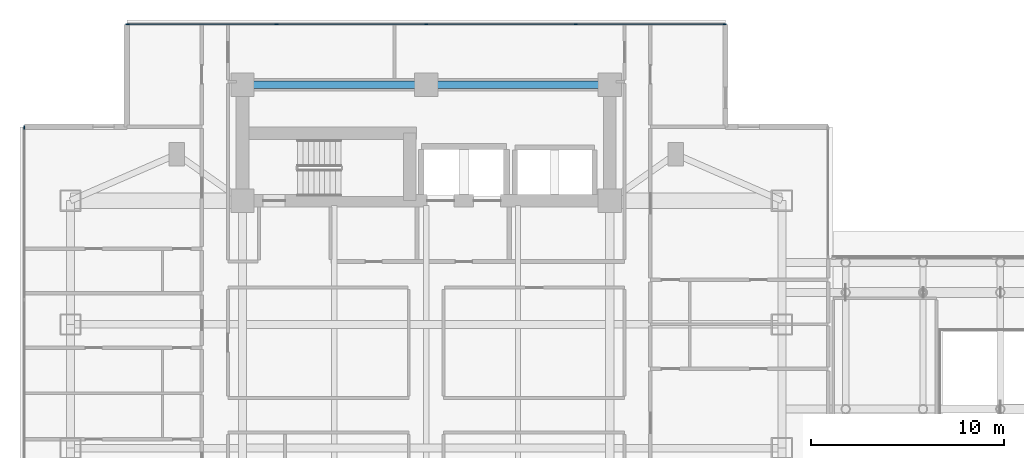
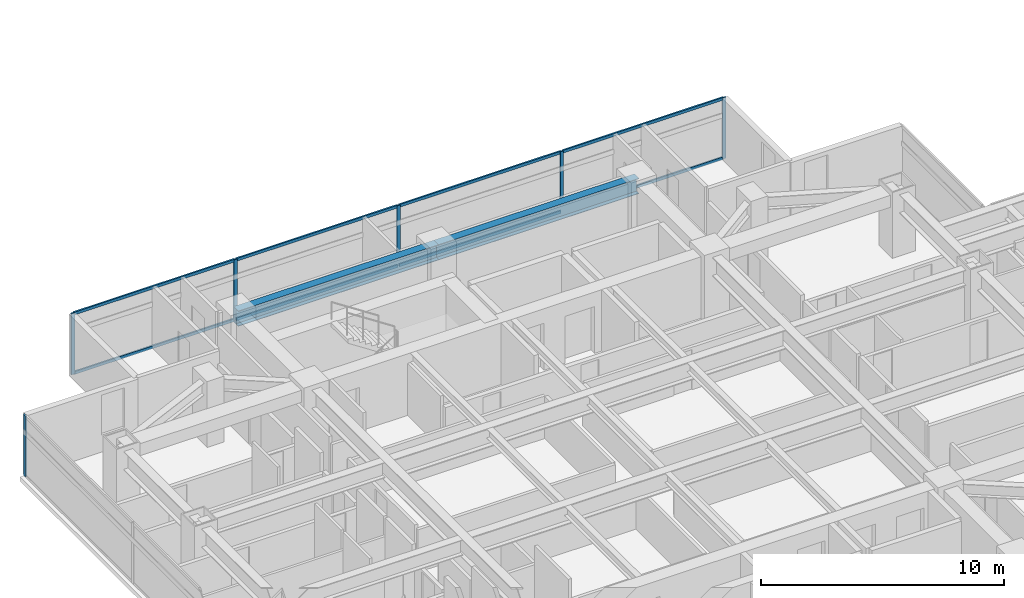
# One storey, part 7 of 27: 14 members, 2 beams, 2 elements without a shape of their own.
"""IFC4 building model written with IfcOpenShell, lengths in metres."""

import ifcopenshell
import ifcopenshell.guid

model = None  # the IFC model being written
_history = None  # IfcOwnerHistory: only IFC2X3 demands one
_inside = {}  # id of a spatial element -> (the spatial element, [elements in it])
_under = {}  # id of a project, library or spatial element -> (it, [spatial elements below it])
_declared = {}  # id of a project -> (the project, [libraries it declares])
_typed = {}  # id of a type object -> (the type object, [elements of that type])
_made_of = {}  # id of a material, layer set ... -> (it, [elements and type objects made of it])


def new_model(schema):
    """Start an empty IFC model of exactly this schema.

    Asked for "IFC4X3", IfcOpenShell would pick the latest addendum, in which some entities
    have other attributes; the version numbers below select the first issue.
    IFC2X3 requires an IfcOwnerHistory on every rooted entity: one is made here for all.
    """
    global model, _history
    if schema == "IFC4X3":
        model = ifcopenshell.file(schema_version=(4, 3, 0, 0))
    else:
        model = ifcopenshell.file(schema=schema)
    _inside.clear()
    _under.clear()
    _declared.clear()
    _typed.clear()
    _made_of.clear()
    _history = None
    if model.schema == "IFC2X3":
        org = make("IfcOrganization", Name="unknown")
        user = make(
            "IfcPersonAndOrganization",
            ThePerson=make("IfcPerson", FamilyName="unknown"),
            TheOrganization=org,
        )
        app = make(
            "IfcApplication",
            ApplicationDeveloper=org,
            Version="unknown",
            ApplicationFullName="unknown",
            ApplicationIdentifier="unknown",
        )
        _history = make(
            "IfcOwnerHistory",
            OwningUser=user,
            OwningApplication=app,
            ChangeAction="ADDED",
            CreationDate=0,
        )
    return model


def make(cls, **values):
    """One entity of the class cls with the attributes given. An attribute that is None is left unset."""
    return model.create_entity(
        cls, **{name: value for name, value in values.items() if value is not None}
    )


def rooted(cls, **values):
    """An entity with a GlobalId (a new one), such as an element, a storey or a relation."""
    return make(cls, GlobalId=ifcopenshell.guid.new(), OwnerHistory=_history, **values)


def si_unit(unit_type, name, prefix=None):
    """IfcSIUnit, for example si_unit("LENGTHUNIT", "METRE", prefix="MILLI")."""
    return make("IfcSIUnit", UnitType=unit_type, Prefix=prefix, Name=name)


def assignment(units):
    """IfcUnitAssignment: the units of a project."""
    return None if units is None else make("IfcUnitAssignment", Units=units)


def point(xyz):
    """IfcCartesianPoint."""
    return None if xyz is None else make("IfcCartesianPoint", Coordinates=xyz)


def direction(xyz):
    """IfcDirection."""
    return None if xyz is None else make("IfcDirection", DirectionRatios=xyz)


def frame(location, z_axis=None, x_axis=None):
    """IfcAxis2Placement3D, a coordinate frame: its origin and axes. An axis left out is left unset."""
    return make(
        "IfcAxis2Placement3D",
        Location=point(location),
        Axis=direction(z_axis),
        RefDirection=direction(x_axis),
    )


def frame_2d(location, x_axis=None):
    """IfcAxis2Placement2D, a coordinate frame in the plane: its origin and x axis."""
    return make(
        "IfcAxis2Placement2D", Location=point(location), RefDirection=direction(x_axis)
    )


def origin():
    """The frame at (0, 0, 0) with its axes left unset."""
    return frame((0.0, 0.0, 0.0))


def origin_2d():
    """The frame at (0, 0) in the plane with its x axis left unset."""
    return frame_2d((0.0, 0.0))


def place(relative_to, where):
    """IfcLocalPlacement: puts the frame where relative to a parent placement (None: the world)."""
    return make(
        "IfcLocalPlacement", PlacementRelTo=relative_to, RelativePlacement=where
    )


def context(
    kind, dimensions, precision=None, world=None, true_north=None, identifier=None
):
    """IfcGeometricRepresentationContext, for example the 3D "Model" context."""
    return make(
        "IfcGeometricRepresentationContext",
        ContextIdentifier=identifier,
        ContextType=kind,
        CoordinateSpaceDimension=dimensions,
        Precision=precision,
        WorldCoordinateSystem=world,
        TrueNorth=true_north,
    )


def subcontext(parent, identifier, kind, view, scale=None):
    """IfcGeometricRepresentationSubContext, for example "Body" below "Model"."""
    return make(
        "IfcGeometricRepresentationSubContext",
        ContextIdentifier=identifier,
        ContextType=kind,
        ParentContext=parent,
        TargetScale=scale,
        TargetView=view,
    )


def project(units=None, contexts=None):
    """IfcProject with its units and contexts."""
    return rooted(
        "IfcProject",
        Name="project",
        RepresentationContexts=contexts,
        UnitsInContext=assignment(units),
    )


def spatial(cls, under=None, at=None, **own):
    """A site, building, storey or space (cls), placed at a placement, below another one or the project."""
    s = rooted(cls, ObjectPlacement=at, **own)
    if under is not None:
        _under.setdefault(under.id(), (under, []))[1].append(s)
    return s


def profile(cls, at=None, kind="AREA", **sizes):
    """A parametric profile (cls). Its sizes go by their IFC names, for example OverallWidth=200.0."""
    return make(cls, ProfileType=kind, Position=at, **sizes)


def rectangle(**sizes):
    """IfcRectangleProfileDef."""
    return profile("IfcRectangleProfileDef", **sizes)


def i_section(**sizes):
    """IfcIShapeProfileDef."""
    return profile("IfcIShapeProfileDef", **sizes)


def extrude(swept, where, along, depth):
    """IfcExtrudedAreaSolid: the profile swept, set in the frame where, extruded along a direction by depth."""
    return make(
        "IfcExtrudedAreaSolid",
        SweptArea=swept,
        Position=where,
        ExtrudedDirection=direction(along),
        Depth=depth,
    )


def shape(context_of_items, identifier, shape_type, items):
    """IfcShapeRepresentation: the items that make up one representation, for example the "Body"."""
    return make(
        "IfcShapeRepresentation",
        ContextOfItems=context_of_items,
        RepresentationIdentifier=identifier,
        RepresentationType=shape_type,
        Items=items,
    )


def material(Name=None, Category=None):
    """IfcMaterial."""
    return make("IfcMaterial", Name=Name, Category=Category)


def material_profile(
    of_material, cross_section, Name=None, Category=None, Priority=None
):
    """IfcMaterialProfile: a cross section and its material."""
    return make(
        "IfcMaterialProfile",
        Name=Name,
        Material=of_material,
        Profile=cross_section,
        Priority=Priority,
        Category=Category,
    )


def profile_set(profiles, Name=None, composite=None):
    """IfcMaterialProfileSet."""
    return make(
        "IfcMaterialProfileSet",
        Name=Name,
        MaterialProfiles=profiles,
        CompositeProfile=composite,
    )


def made_of(thing, what):
    """Note that an element or type object is made of a material, layer set ...; save() writes the relation."""
    if what is not None:
        _made_of.setdefault(what.id(), (what, []))[1].append(thing)
    return thing


def type_object(cls, material=None, **own):
    """A type object (cls), such as IfcWallType, which elements share."""
    return made_of(rooted(cls, **own), material)


def element(
    cls,
    number,
    at=None,
    inside=None,
    cuts=None,
    type_object=None,
    material=None,
    context=None,
    identifier="Body",
    shape_type=None,
    held_by="IfcProductDefinitionShape",
    body=None,
    shapes=None,
    **own,
):
    """One element of the class cls, such as IfcWall. Its Tag is "e" and its number.

    at: its placement. inside: the storey or other place that contains it. cuts: it is an
    opening in that element (IfcRelVoidsElement). A single representation is given by context,
    identifier, shape_type and body (its items); several are given by shapes. held_by: the class
    of the entity that holds the representations. save() writes the other relations.
    """
    e = rooted(cls, Tag="e%d" % number, ObjectPlacement=at, **own)
    if body is not None:
        shapes = [shape(context, identifier, shape_type, body)]
    if shapes is not None:
        e.Representation = make(held_by, Representations=shapes)
    if inside is not None:
        _inside.setdefault(inside.id(), (inside, []))[1].append(e)
    if cuts is not None:
        rooted(
            "IfcRelVoidsElement", RelatingBuildingElement=cuts, RelatedOpeningElement=e
        )
    if type_object is not None:
        _typed.setdefault(type_object.id(), (type_object, []))[1].append(e)
    return made_of(e, material)


def aggregate(whole, parts):
    """IfcRelAggregates: a whole, such as a stair, and the parts it consists of."""
    return rooted("IfcRelAggregates", RelatingObject=whole, RelatedObjects=parts)


def save(model, path):
    """Write the relations noted so far, then the file.

    IfcRelAggregates (storeys below a building ...), IfcRelContainedInSpatialStructure (elements
    in a storey), IfcRelDefinesByType, IfcRelAssociatesMaterial and IfcRelDeclares: one each for
    every whole, place, type object, material and project.
    """
    for whole, parts in _under.values():
        aggregate(whole, parts)
    for where, things in _inside.values():
        rooted(
            "IfcRelContainedInSpatialStructure",
            RelatedElements=things,
            RelatingStructure=where,
        )
    for kind, things in _typed.values():
        rooted("IfcRelDefinesByType", RelatedObjects=things, RelatingType=kind)
    for what, things in _made_of.values():
        rooted("IfcRelAssociatesMaterial", RelatedObjects=things, RelatingMaterial=what)
    for by, libraries in _declared.values():
        rooted("IfcRelDeclares", RelatingContext=by, RelatedDefinitions=libraries)
    model.write(path)


model = new_model("IFC4")

# Units and contexts
model_context = context("Model", 3, precision=1e-05, world=origin(), true_north=direction((0.0, 1.0)))
body_context = subcontext(model_context, "Body", "Model", "MODEL_VIEW")
ifc_project = project(units=[si_unit("LENGTHUNIT", "METRE"), si_unit("AREAUNIT", "SQUARE_METRE"), si_unit("VOLUMEUNIT", "CUBIC_METRE"), si_unit("PLANEANGLEUNIT", "RADIAN"), si_unit("MASSUNIT", "GRAM", prefix="KILO")], contexts=[model_context])

# Site, building, storey
site_placement = place(None, origin())
site = spatial("IfcSite", under=ifc_project, at=site_placement, CompositionType="ELEMENT")
building_placement = place(site_placement, origin())
building = spatial("IfcBuilding", under=site, at=building_placement, Name="Mirazonda Arch Towers", CompositionType="ELEMENT")
storey_placement = place(building_placement, frame((0.0, 0.0, 95.0)))
storey = spatial("IfcBuildingStorey", under=building, at=storey_placement, Name="L26", CompositionType="ELEMENT", Elevation=95.0)

# Beams
ifc_material_1 = material(Name="Steel ASTM A992 Grade 50", Category="steel")
ifc_material_profile_1 = material_profile(ifc_material_1, i_section(OverallWidth=0.381103515625, OverallDepth=0.77294921875, WebThickness=0.0166015625, FlangeThickness=0.027099609375, at=origin_2d()), Name="W30X173")
ifc_profile_set_1 = profile_set([ifc_material_profile_1], Name="Steel ASTM A992 Grade 50")
beam_type = type_object("IfcBeamType", Name="BM-INT-W30X173", PredefinedType="USERDEFINED", material=ifc_profile_set_1)
for number, where, z_axis, x_axis, name in (
    (1, (11.0, 43.60009765625, 2.693603515625), (1.0, 0.0, 0.0), (0.0, 1.0, 0.0), "L26 Floor Beam BM-T1-L26-CN1"),
    (2, (20.5, 43.60009765625, 2.693603515625), (1.0, 0.0, 0.0), (0.0, 1.0, 0.0), "L26 Floor Beam BM-T1-L26-CN2"),
):
    element("IfcBeam", number, at=place(storey_placement, frame(where, z_axis=z_axis, x_axis=x_axis)), inside=storey, type_object=beam_type, Name=name, ObjectType="GIRDER", PredefinedType="USERDEFINED", context=body_context, shape_type="SweptSolid", body=[
        extrude(i_section(OverallWidth=0.381103515625, OverallDepth=0.77294921875, WebThickness=0.0166015625, FlangeThickness=0.027099609375, at=origin_2d()), origin(), (0.0, 0.0, 1.0), 9.5),
    ])

# Curtain wall, members
ifc_material_2 = material(Name="Anodised Aluminium and Low-E Glass", Category="aluminium")
curtain_wall_type = type_object("IfcCurtainWallType", Name="CW-HTL-UNIT", PredefinedType="NOTDEFINED", material=ifc_material_2)
curtain_wall_1_placement = place(storey_placement, origin())
curtain_wall_1 = element("IfcCurtainWall", 3, at=curtain_wall_1_placement, inside=storey, type_object=curtain_wall_type, Name="L26 T1 N Facade CW-L26-T1-N", PredefinedType="NOTDEFINED")
ifc_material_3 = material(Name="Anodised Aluminium Alloy", Category="aluminium")
ifc_material_profile_2 = material_profile(ifc_material_3, rectangle(XDim=0.074951171875, YDim=0.1650390625, at=origin_2d()), Name="ALU-MULL-75x165")
ifc_profile_set_2 = profile_set([ifc_material_profile_2], Name="Anodised Aluminium Alloy")
member_type_1 = type_object("IfcMemberType", Name="MULL-CW-HTL-UNIT", PredefinedType="MULLION", material=ifc_profile_set_2)
member_1_placement = place(storey_placement, frame((5.052490234375, 46.72607421875, 0.0), z_axis=(0.0, 0.0, 1.0), x_axis=(0.0, 1.0, 0.0)))
member_1 = element("IfcMember", 4, at=member_1_placement, type_object=member_type_1, Name="CW-112 mullion 1", PredefinedType="MULLION", context=body_context, shape_type="SweptSolid", body=[
    extrude(rectangle(XDim=0.074951171875, YDim=0.1650390625, at=origin_2d()), origin(), (0.0, 0.0, 1.0), 3.06005859375),
])
member_2_placement = place(storey_placement, frame((12.757568359375, 46.72607421875, 0.0), z_axis=(0.0, 0.0, 1.0), x_axis=(0.0, 1.0, 0.0)))
member_2 = element("IfcMember", 5, at=member_2_placement, type_object=member_type_1, Name="CW-112 mullion 2", PredefinedType="MULLION", context=body_context, shape_type="SweptSolid", body=[
    extrude(rectangle(XDim=0.074951171875, YDim=0.1650390625, at=origin_2d()), origin(), (0.0, 0.0, 1.0), 3.06005859375),
])
member_3_placement = place(storey_placement, frame((20.5, 46.72607421875, 0.0), z_axis=(0.0, 0.0, 1.0), x_axis=(0.0, 1.0, 0.0)))
member_3 = element("IfcMember", 6, at=member_3_placement, type_object=member_type_1, Name="CW-112 mullion 3", PredefinedType="MULLION", context=body_context, shape_type="SweptSolid", body=[
    extrude(rectangle(XDim=0.074951171875, YDim=0.1650390625, at=origin_2d()), origin(), (0.0, 0.0, 1.0), 3.06005859375),
])
member_4_placement = place(storey_placement, frame((28.242431640625, 46.72607421875, 0.0), z_axis=(0.0, 0.0, 1.0), x_axis=(0.0, 1.0, 0.0)))
member_4 = element("IfcMember", 7, at=member_4_placement, type_object=member_type_1, Name="CW-112 mullion 4", PredefinedType="MULLION", context=body_context, shape_type="SweptSolid", body=[
    extrude(rectangle(XDim=0.074951171875, YDim=0.1650390625, at=origin_2d()), origin(), (0.0, 0.0, 1.0), 3.06005859375),
])
member_5_placement = place(storey_placement, frame((35.947509765625, 46.72607421875, 0.0), z_axis=(0.0, 0.0, 1.0), x_axis=(0.0, 1.0, 0.0)))
member_5 = element("IfcMember", 8, at=member_5_placement, type_object=member_type_1, Name="CW-112 mullion 5", PredefinedType="MULLION", context=body_context, shape_type="SweptSolid", body=[
    extrude(rectangle(XDim=0.074951171875, YDim=0.1650390625, at=origin_2d()), origin(), (0.0, 0.0, 1.0), 3.06005859375),
])

# Curtain wall, member
curtain_wall_2_placement = place(storey_placement, origin())
curtain_wall_2 = element("IfcCurtainWall", 9, at=curtain_wall_2_placement, inside=storey, type_object=curtain_wall_type, Name="L26 T1 W Facade CW-L26-T1-W", PredefinedType="NOTDEFINED")
member_6_placement = place(storey_placement, frame((-0.2900390625, 41.383544921875, 0.0), z_axis=(0.0, 0.0, 1.0), x_axis=(1.0, 0.0, 0.0)))
member_6 = element("IfcMember", 10, at=member_6_placement, type_object=member_type_1, Name="CW-112 mullion 1", PredefinedType="MULLION", context=body_context, shape_type="SweptSolid", body=[
    extrude(rectangle(XDim=0.074951171875, YDim=0.1650390625, at=origin_2d()), origin(), (0.0, 0.0, 1.0), 3.06005859375),
])
aggregate(curtain_wall_2, [member_6])

# Member
ifc_material_profile_3 = material_profile(ifc_material_3, rectangle(XDim=0.074951171875, YDim=0.14501953125, at=origin_2d()), Name="ALU-TRAN-75x145")
ifc_profile_set_3 = profile_set([ifc_material_profile_3], Name="Anodised Aluminium Alloy")
member_type_2 = type_object("IfcMemberType", Name="TRAN-CW-HTL-UNIT", PredefinedType="USERDEFINED", material=ifc_profile_set_3)
member_7_placement = place(storey_placement, frame((5.090087890625, 46.72607421875, 0.03759765625), z_axis=(1.0, 0.0, 0.0), x_axis=(0.0, 1.0, 0.0)))
member_7 = element("IfcMember", 11, at=member_7_placement, type_object=member_type_2, Name="CW-112 transom 1.1", ObjectType="TRANSOM", PredefinedType="USERDEFINED", context=body_context, shape_type="SweptSolid", body=[
    extrude(rectangle(XDim=0.074951171875, YDim=0.14501953125, at=origin_2d()), origin(), (0.0, 0.0, 1.0), 7.6298828125),
])

member_8_placement = place(storey_placement, frame((5.090087890625, 46.72607421875, 3.0224609375), z_axis=(1.0, 0.0, 0.0), x_axis=(0.0, 1.0, 0.0)))
member_8 = element("IfcMember", 12, at=member_8_placement, type_object=member_type_2, Name="CW-112 transom 1.2", ObjectType="TRANSOM", PredefinedType="USERDEFINED", context=body_context, shape_type="SweptSolid", body=[
    extrude(rectangle(XDim=0.074951171875, YDim=0.14501953125, at=origin_2d()), origin(), (0.0, 0.0, 1.0), 7.6298828125),
])

member_9_placement = place(storey_placement, frame((12.794921875, 46.72607421875, 0.03759765625), z_axis=(1.0, 0.0, 0.0), x_axis=(0.0, 1.0, 0.0)))
member_9 = element("IfcMember", 13, at=member_9_placement, type_object=member_type_2, Name="CW-112 transom 2.1", ObjectType="TRANSOM", PredefinedType="USERDEFINED", context=body_context, shape_type="SweptSolid", body=[
    extrude(rectangle(XDim=0.074951171875, YDim=0.14501953125, at=origin_2d()), origin(), (0.0, 0.0, 1.0), 7.66748046875),
])

member_10_placement = place(storey_placement, frame((12.794921875, 46.72607421875, 3.0224609375), z_axis=(1.0, 0.0, 0.0), x_axis=(0.0, 1.0, 0.0)))
member_10 = element("IfcMember", 14, at=member_10_placement, type_object=member_type_2, Name="CW-112 transom 2.2", ObjectType="TRANSOM", PredefinedType="USERDEFINED", context=body_context, shape_type="SweptSolid", body=[
    extrude(rectangle(XDim=0.074951171875, YDim=0.14501953125, at=origin_2d()), origin(), (0.0, 0.0, 1.0), 7.66748046875),
])

member_11_placement = place(storey_placement, frame((20.53759765625, 46.72607421875, 0.03759765625), z_axis=(1.0, 0.0, 0.0), x_axis=(0.0, 1.0, 0.0)))
member_11 = element("IfcMember", 15, at=member_11_placement, type_object=member_type_2, Name="CW-112 transom 3.1", ObjectType="TRANSOM", PredefinedType="USERDEFINED", context=body_context, shape_type="SweptSolid", body=[
    extrude(rectangle(XDim=0.074951171875, YDim=0.14501953125, at=origin_2d()), origin(), (0.0, 0.0, 1.0), 7.66748046875),
])

member_12_placement = place(storey_placement, frame((20.53759765625, 46.72607421875, 3.0224609375), z_axis=(1.0, 0.0, 0.0), x_axis=(0.0, 1.0, 0.0)))
member_12 = element("IfcMember", 16, at=member_12_placement, type_object=member_type_2, Name="CW-112 transom 3.2", ObjectType="TRANSOM", PredefinedType="USERDEFINED", context=body_context, shape_type="SweptSolid", body=[
    extrude(rectangle(XDim=0.074951171875, YDim=0.14501953125, at=origin_2d()), origin(), (0.0, 0.0, 1.0), 7.66748046875),
])

member_13_placement = place(storey_placement, frame((28.280029296875, 46.72607421875, 0.03759765625), z_axis=(1.0, 0.0, 0.0), x_axis=(0.0, 1.0, 0.0)))
member_13 = element("IfcMember", 17, at=member_13_placement, type_object=member_type_2, Name="CW-112 transom 4.1", ObjectType="TRANSOM", PredefinedType="USERDEFINED", context=body_context, shape_type="SweptSolid", body=[
    extrude(rectangle(XDim=0.074951171875, YDim=0.14501953125, at=origin_2d()), origin(), (0.0, 0.0, 1.0), 7.6298828125),
])

member_14_placement = place(storey_placement, frame((28.280029296875, 46.72607421875, 3.0224609375), z_axis=(1.0, 0.0, 0.0), x_axis=(0.0, 1.0, 0.0)))
member_14 = element("IfcMember", 18, at=member_14_placement, type_object=member_type_2, Name="CW-112 transom 4.2", ObjectType="TRANSOM", PredefinedType="USERDEFINED", context=body_context, shape_type="SweptSolid", body=[
    extrude(rectangle(XDim=0.074951171875, YDim=0.14501953125, at=origin_2d()), origin(), (0.0, 0.0, 1.0), 7.6298828125),
])

aggregate(curtain_wall_1, [member_1, member_2, member_3, member_4, member_5, member_7, member_8, member_9, member_10, member_11, member_12, member_13, member_14])

save(model, "model.ifc")
